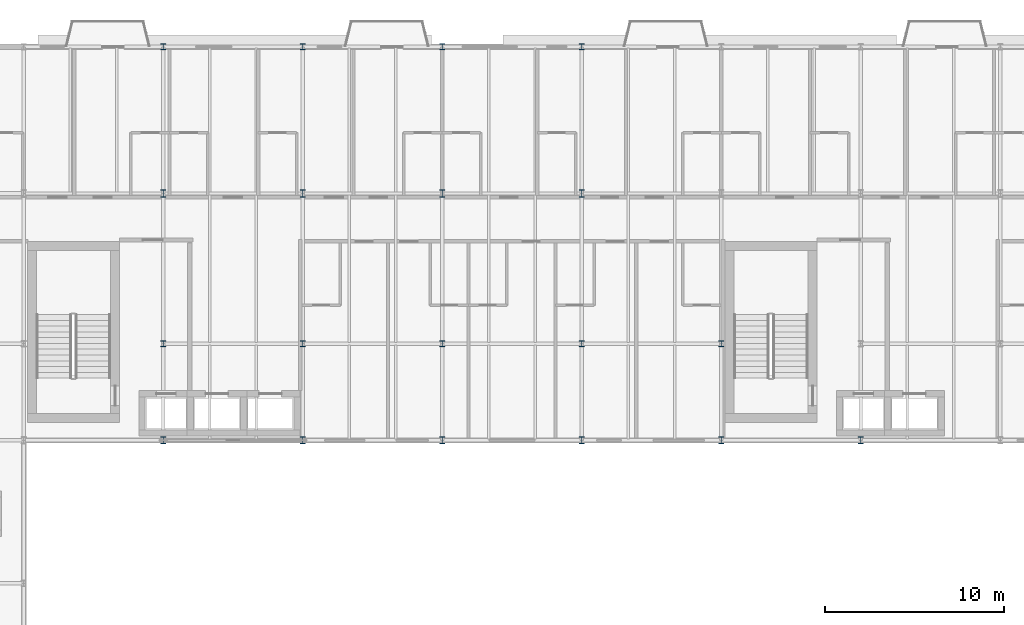
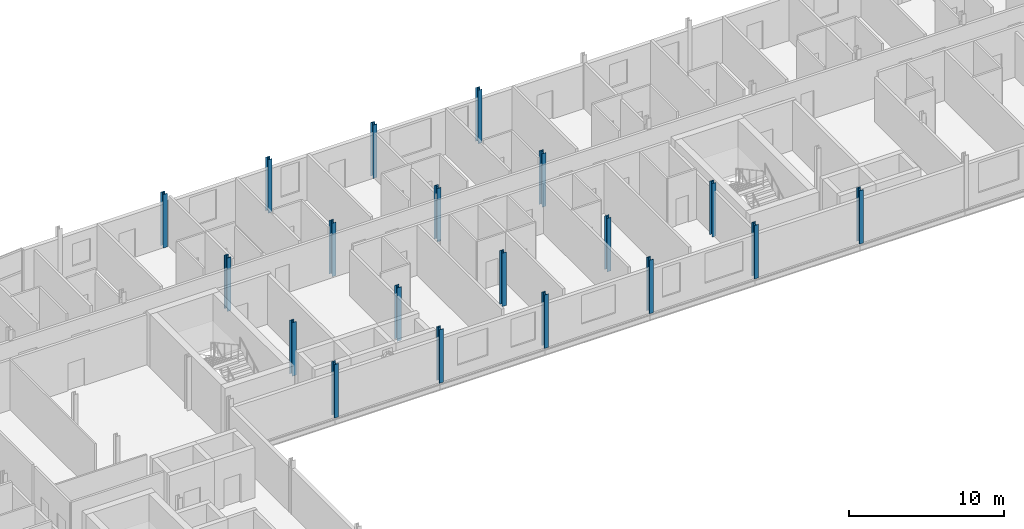
# One storey, part 2 of 22: 19 columns.
"""IFC4 building model written with IfcOpenShell, lengths in metres."""

from ifc_helpers import new_model, si_unit, direction, frame, origin, origin_2d, place, context, subcontext, project, spatial, i_section, extrude, material, material_profile, profile_set, type_object, element, save


model = new_model("IFC4")

# Units and contexts
model_context = context("Model", 3, precision=1e-05, world=origin(), true_north=direction((0.0, 1.0)))
body_context = subcontext(model_context, "Body", "Model", "MODEL_VIEW")
ifc_project = project(units=[si_unit("LENGTHUNIT", "METRE"), si_unit("AREAUNIT", "SQUARE_METRE"), si_unit("VOLUMEUNIT", "CUBIC_METRE"), si_unit("PLANEANGLEUNIT", "RADIAN"), si_unit("MASSUNIT", "GRAM", prefix="KILO")], contexts=[model_context])

# Site, building, storey
site_placement = place(None, origin())
site = spatial("IfcSite", under=ifc_project, at=site_placement, CompositionType="ELEMENT")
building_placement = place(site_placement, origin())
building = spatial("IfcBuilding", under=site, at=building_placement, Name="Sefraquen Railside Congress Hotel", CompositionType="ELEMENT")
storey_placement = place(building_placement, frame((0.0, 0.0, 42.60009765625)))
storey = spatial("IfcBuildingStorey", under=building, at=storey_placement, Name="L10", CompositionType="ELEMENT", Elevation=42.60009765625)

# Columns
ifc_material = material(Name="Steel S355JR", Category="steel")
ifc_material_profile_1 = material_profile(ifc_material, i_section(OverallWidth=0.300048828125, OverallDepth=0.340087890625, WebThickness=0.011962890625, FlangeThickness=0.021484375, FilletRadius=0.027099609375, at=origin_2d()), Name="HEB 340")
ifc_profile_set_1 = profile_set([ifc_material_profile_1], Name="Steel S355JR")
column_type_1 = type_object("IfcColumnType", Name="TC-HEB-340", PredefinedType="COLUMN", material=ifc_profile_set_1)
for number, where, z_axis, x_axis, name in (
    (1, (33.0, 101.39990234375, 0.0), (0.0, 0.0, 1.0), (1.0, 0.0, 0.0), "Structural column 5-N L10"),
    (2, (33.0, 118.0, 0.0), (0.0, 0.0, 1.0), (1.0, 0.0, 0.0), "Structural column 5-Q L10"),
    (3, (40.800048828125, 101.39990234375, 0.0), (0.0, 0.0, 1.0), (1.0, 0.0, 0.0), "Structural column 6-N L10"),
    (4, (40.800048828125, 118.0, 0.0), (0.0, 0.0, 1.0), (1.0, 0.0, 0.0), "Structural column 6-Q L10"),
    (5, (48.60009765625, 101.39990234375, 0.0), (0.0, 0.0, 1.0), (1.0, 0.0, 0.0), "Structural column 7-N L10"),
    (6, (48.60009765625, 118.0, 0.0), (0.0, 0.0, 1.0), (1.0, 0.0, 0.0), "Structural column 7-Q L10"),
    (7, (56.39990234375, 101.39990234375, 0.0), (0.0, 0.0, 1.0), (1.0, 0.0, 0.0), "Structural column 8-N L10"),
    (8, (56.39990234375, 118.0, 0.0), (0.0, 0.0, 1.0), (1.0, 0.0, 0.0), "Structural column 8-Q L10"),
    (9, (64.199951171875, 101.39990234375, 0.0), (0.0, 0.0, 1.0), (1.0, 0.0, 0.0), "Structural column 9-N L10"),
):
    element("IfcColumn", number, at=place(storey_placement, frame(where, z_axis=z_axis, x_axis=x_axis)), inside=storey, type_object=column_type_1, Name=name, PredefinedType="COLUMN", context=body_context, shape_type="SweptSolid", body=[
        extrude(i_section(OverallWidth=0.300048828125, OverallDepth=0.340087890625, WebThickness=0.011962890625, FlangeThickness=0.021484375, FilletRadius=0.027099609375, at=origin_2d()), origin(), (0.0, 0.0, 1.0), 4.199951171875),
    ])
ifc_material_profile_2 = material_profile(ifc_material, i_section(OverallWidth=0.300048828125, OverallDepth=0.39990234375, WebThickness=0.013427734375, FlangeThickness=0.02392578125, FilletRadius=0.027099609375, at=origin_2d()), Name="HEB 400")
ifc_profile_set_2 = profile_set([ifc_material_profile_2], Name="Steel S355JR")
column_type_2 = type_object("IfcColumnType", Name="TC-HEB-400", PredefinedType="COLUMN", material=ifc_profile_set_2)
for number, where, z_axis, x_axis, name in (
    (10, (33.0, 96.0, 0.0), (0.0, 0.0, 1.0), (1.0, 0.0, 0.0), "Structural column 5-M L10"),
    (11, (33.0, 109.800048828125, 0.0), (0.0, 0.0, 1.0), (1.0, 0.0, 0.0), "Structural column 5-P L10"),
    (12, (40.800048828125, 96.0, 0.0), (0.0, 0.0, 1.0), (1.0, 0.0, 0.0), "Structural column 6-M L10"),
    (13, (40.800048828125, 109.800048828125, 0.0), (0.0, 0.0, 1.0), (1.0, 0.0, 0.0), "Structural column 6-P L10"),
    (14, (48.60009765625, 96.0, 0.0), (0.0, 0.0, 1.0), (1.0, 0.0, 0.0), "Structural column 7-M L10"),
    (15, (48.60009765625, 109.800048828125, 0.0), (0.0, 0.0, 1.0), (1.0, 0.0, 0.0), "Structural column 7-P L10"),
    (16, (56.39990234375, 96.0, 0.0), (0.0, 0.0, 1.0), (1.0, 0.0, 0.0), "Structural column 8-M L10"),
    (17, (56.39990234375, 109.800048828125, 0.0), (0.0, 0.0, 1.0), (1.0, 0.0, 0.0), "Structural column 8-P L10"),
    (18, (64.199951171875, 96.0, 0.0), (0.0, 0.0, 1.0), (1.0, 0.0, 0.0), "Structural column 9-M L10"),
    (19, (72.0, 96.0, 0.0), (0.0, 0.0, 1.0), (1.0, 0.0, 0.0), "Structural column 10-M L10"),
):
    element("IfcColumn", number, at=place(storey_placement, frame(where, z_axis=z_axis, x_axis=x_axis)), inside=storey, type_object=column_type_2, Name=name, PredefinedType="COLUMN", context=body_context, shape_type="SweptSolid", body=[
        extrude(i_section(OverallWidth=0.300048828125, OverallDepth=0.39990234375, WebThickness=0.013427734375, FlangeThickness=0.02392578125, FilletRadius=0.027099609375, at=origin_2d()), origin(), (0.0, 0.0, 1.0), 4.199951171875),
    ])

save(model, "model.ifc")
